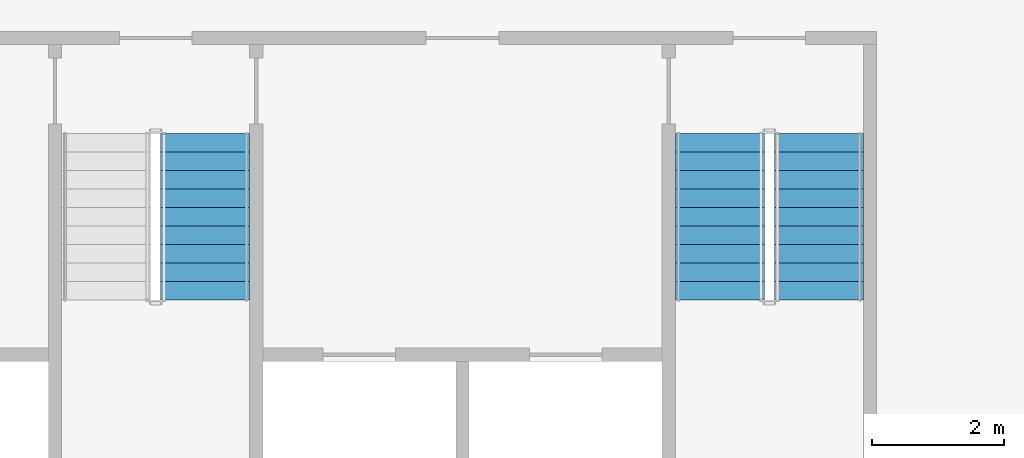
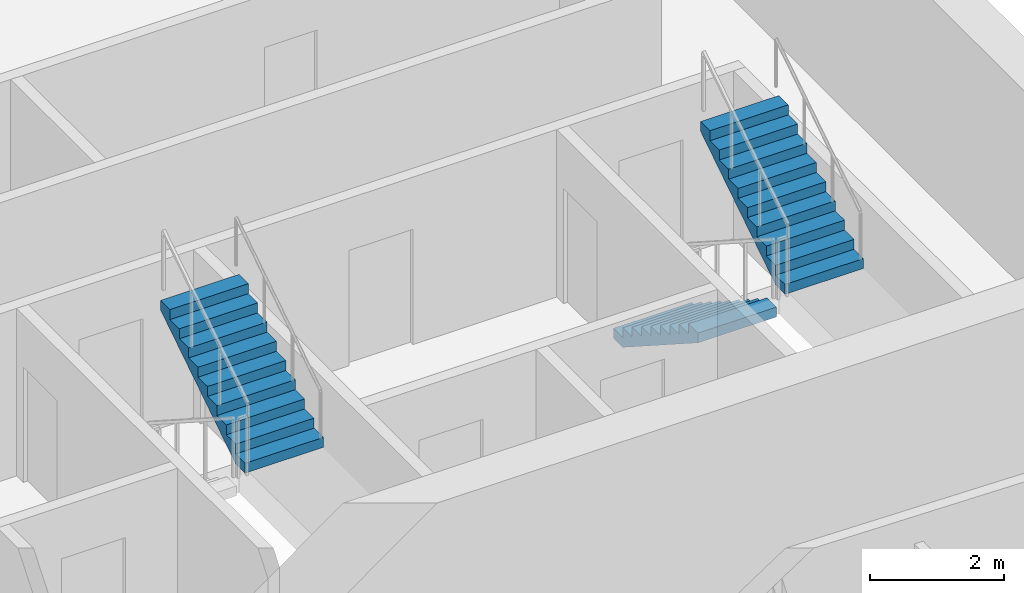
# One storey, part 13 of 17: 3 stair flights, 2 elements without a shape of their own.
"""IFC4 building model written with IfcOpenShell, lengths in metres."""

from ifc_helpers import new_model, si_unit, direction, frame, origin, place, context, subcontext, project, spatial, polyline, outline, extrude, material, type_object, element, aggregate, save


model = new_model("IFC4")

# Units and contexts
model_context = context("Model", 3, precision=1e-05, world=origin(), true_north=direction((0.0, 1.0)))
body_context = subcontext(model_context, "Body", "Model", "MODEL_VIEW")
ifc_project = project(units=[si_unit("LENGTHUNIT", "METRE"), si_unit("AREAUNIT", "SQUARE_METRE"), si_unit("VOLUMEUNIT", "CUBIC_METRE"), si_unit("PLANEANGLEUNIT", "RADIAN"), si_unit("MASSUNIT", "GRAM", prefix="KILO")], contexts=[model_context])

# Site, building, storey
site_placement = place(None, origin())
site = spatial("IfcSite", under=ifc_project, at=site_placement, CompositionType="ELEMENT")
building_placement = place(site_placement, origin())
building = spatial("IfcBuilding", under=site, at=building_placement, Name="Mangrove Gate Tower", CompositionType="ELEMENT")
storey_placement = place(building_placement, frame((0.0, 0.0, 257.300048828125)))
storey = spatial("IfcBuildingStorey", under=building, at=storey_placement, Name="L65", CompositionType="ELEMENT", Elevation=257.300048828125)

# Stair, stair flight
ifc_material_1 = material(Name="Concrete C40/50", Category="concrete")
stair_type = type_object("IfcStairType", Name="Core stair 1350", PredefinedType="HALF_TURN_STAIR", material=ifc_material_1)
stair_1_placement = place(storey_placement, origin())
stair_1 = element("IfcStair", 1, at=stair_1_placement, inside=storey, type_object=stair_type, Name="L65 Stair 2", PredefinedType="HALF_TURN_STAIR")
ifc_material_2 = material(Name="Concrete C40/50", Category="concrete")
stair_flight_type = type_object("IfcStairFlightType", Name="Core stair flight 1350", PredefinedType="STRAIGHT", material=ifc_material_2)
stair_flight_1_placement = place(storey_placement, frame((0.72509765625, -7.169921875, 1.800048828125), z_axis=(0.0, 0.0, 1.0), x_axis=(0.0, 1.0, 0.0)))
stair_flight_1 = element("IfcStairFlight", 2, at=stair_flight_1_placement, type_object=stair_flight_type, Name="ST2 flight 2", NumberOfRisers=10, NumberOfTreads=9, PredefinedType="STRAIGHT", RiserHeight=0.18, TreadLength=0.28, context=body_context, shape_type="SweptSolid", body=[
    extrude(outline(polyline([(0.0, 0.0), (0.0, 0.179931640625), (0.280029296875, 0.179931640625), (0.280029296875, 0.360107421875), (0.56005859375, 0.360107421875), (0.56005859375, 0.5400390625), (0.840087890625, 0.5400390625), (0.840087890625, 0.719970703125), (1.1201171875, 0.719970703125), (1.1201171875, 0.89990234375), (1.39990234375, 0.89990234375), (1.39990234375, 1.080078125), (1.679931640625, 1.080078125), (1.679931640625, 1.260009765625), (1.9599609375, 1.260009765625), (1.9599609375, 1.43994140625), (2.239990234375, 1.43994140625), (2.239990234375, 1.6201171875), (2.52001953125, 1.6201171875), (2.52001953125, 1.800048828125), (2.52001953125, 1.44189453125), (0.277099609375, 0.0), (0.0, 0.0)])), frame((0.0, 0.675048828125, 0.0), z_axis=(0.0, -1.0, 0.0), x_axis=(1.0, 0.0, 0.0)), (0.0, 0.0, 1.0), 1.35009765625),
])
aggregate(stair_1, [stair_flight_1])

# Stair, stair flights
stair_2_placement = place(storey_placement, origin())
stair_2 = element("IfcStair", 3, at=stair_2_placement, inside=storey, type_object=stair_type, Name="L65 Stair 3", PredefinedType="HALF_TURN_STAIR")
stair_flight_2_placement = place(storey_placement, frame((8.52490234375, -4.64990234375, 0.0), z_axis=(0.0, 0.0, 1.0), x_axis=(0.0, -1.0, 0.0)))
stair_flight_2 = element("IfcStairFlight", 4, at=stair_flight_2_placement, type_object=stair_flight_type, Name="ST3 flight 1", NumberOfRisers=10, NumberOfTreads=9, PredefinedType="STRAIGHT", RiserHeight=0.18, TreadLength=0.28, context=body_context, shape_type="SweptSolid", body=[
    extrude(outline(polyline([(0.0, 0.0), (0.0, 0.179931640625), (0.280029296875, 0.179931640625), (0.280029296875, 0.360107421875), (0.56005859375, 0.360107421875), (0.56005859375, 0.5400390625), (0.840087890625, 0.5400390625), (0.840087890625, 0.719970703125), (1.1201171875, 0.719970703125), (1.1201171875, 0.89990234375), (1.39990234375, 0.89990234375), (1.39990234375, 1.080078125), (1.679931640625, 1.080078125), (1.679931640625, 1.260009765625), (1.9599609375, 1.260009765625), (1.9599609375, 1.43994140625), (2.239990234375, 1.43994140625), (2.239990234375, 1.6201171875), (2.52001953125, 1.6201171875), (2.52001953125, 1.800048828125), (2.52001953125, 1.44189453125), (0.277099609375, 0.0), (0.0, 0.0)])), frame((0.0, 0.675048828125, 0.0), z_axis=(0.0, -1.0, 0.0), x_axis=(1.0, 0.0, 0.0)), (0.0, 0.0, 1.0), 1.35009765625),
])
stair_flight_3_placement = place(storey_placement, frame((10.02490234375, -7.169921875, 1.800048828125), z_axis=(0.0, 0.0, 1.0), x_axis=(0.0, 1.0, 0.0)))
stair_flight_3 = element("IfcStairFlight", 5, at=stair_flight_3_placement, type_object=stair_flight_type, Name="ST3 flight 2", NumberOfRisers=10, NumberOfTreads=9, PredefinedType="STRAIGHT", RiserHeight=0.18, TreadLength=0.28, context=body_context, shape_type="SweptSolid", body=[
    extrude(outline(polyline([(0.0, 0.0), (0.0, 0.179931640625), (0.280029296875, 0.179931640625), (0.280029296875, 0.360107421875), (0.56005859375, 0.360107421875), (0.56005859375, 0.5400390625), (0.840087890625, 0.5400390625), (0.840087890625, 0.719970703125), (1.1201171875, 0.719970703125), (1.1201171875, 0.89990234375), (1.39990234375, 0.89990234375), (1.39990234375, 1.080078125), (1.679931640625, 1.080078125), (1.679931640625, 1.260009765625), (1.9599609375, 1.260009765625), (1.9599609375, 1.43994140625), (2.239990234375, 1.43994140625), (2.239990234375, 1.6201171875), (2.52001953125, 1.6201171875), (2.52001953125, 1.800048828125), (2.52001953125, 1.44189453125), (0.277099609375, 0.0), (0.0, 0.0)])), frame((0.0, 0.675048828125, 0.0), z_axis=(0.0, -1.0, 0.0), x_axis=(1.0, 0.0, 0.0)), (0.0, 0.0, 1.0), 1.35009765625),
])
aggregate(stair_2, [stair_flight_2, stair_flight_3])

save(model, "model.ifc")
